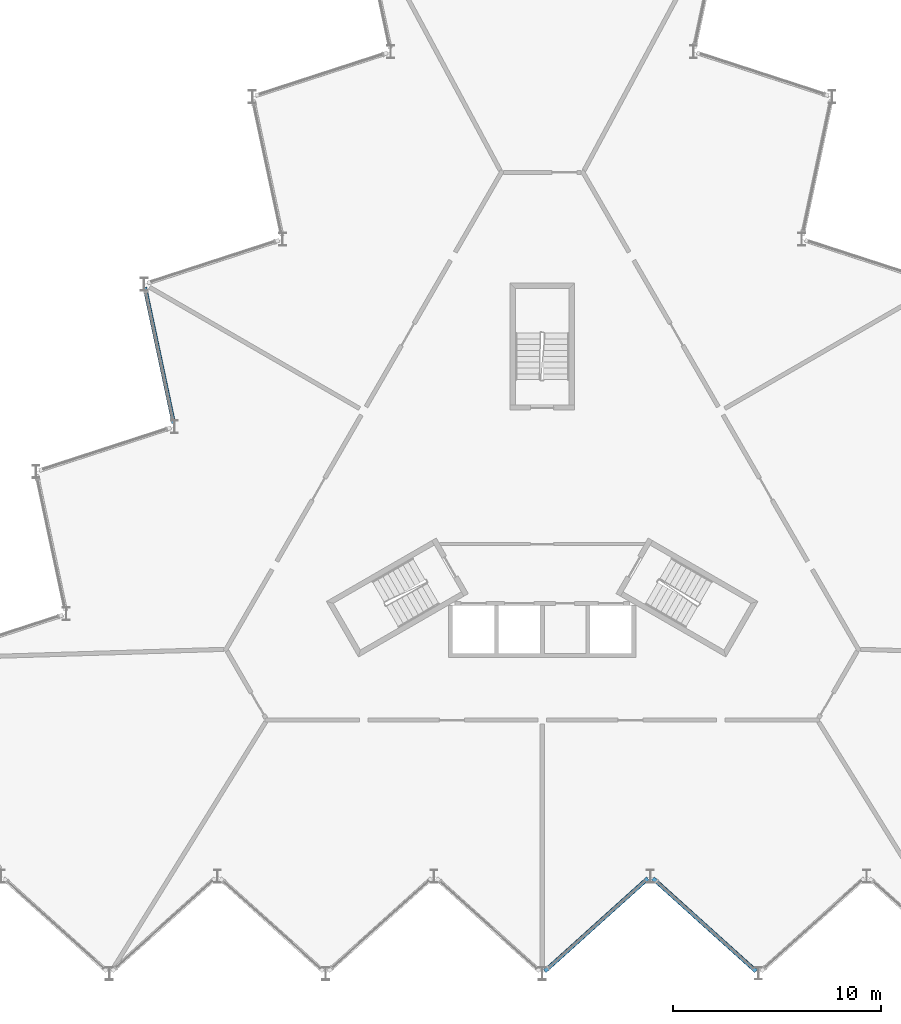
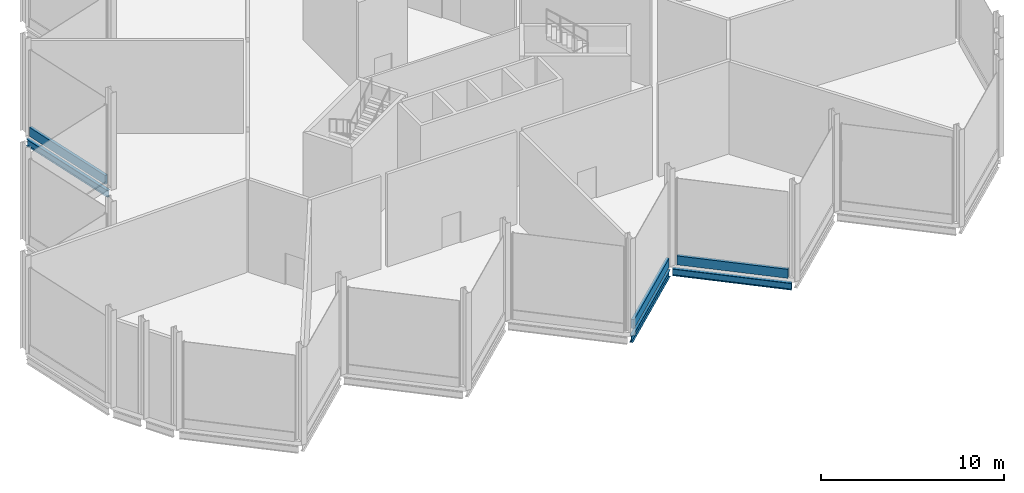
# One storey, part 5 of 12: 3 beams, 3 members, 3 elements without a shape of their own.
"""IFC4 building model written with IfcOpenShell, lengths in metres."""

import ifcopenshell
import ifcopenshell.guid

model = None  # the IFC model being written
_history = None  # IfcOwnerHistory: only IFC2X3 demands one
_inside = {}  # id of a spatial element -> (the spatial element, [elements in it])
_under = {}  # id of a project, library or spatial element -> (it, [spatial elements below it])
_declared = {}  # id of a project -> (the project, [libraries it declares])
_typed = {}  # id of a type object -> (the type object, [elements of that type])
_made_of = {}  # id of a material, layer set ... -> (it, [elements and type objects made of it])


def new_model(schema):
    """Start an empty IFC model of exactly this schema.

    Asked for "IFC4X3", IfcOpenShell would pick the latest addendum, in which some entities
    have other attributes; the version numbers below select the first issue.
    IFC2X3 requires an IfcOwnerHistory on every rooted entity: one is made here for all.
    """
    global model, _history
    if schema == "IFC4X3":
        model = ifcopenshell.file(schema_version=(4, 3, 0, 0))
    else:
        model = ifcopenshell.file(schema=schema)
    _inside.clear()
    _under.clear()
    _declared.clear()
    _typed.clear()
    _made_of.clear()
    _history = None
    if model.schema == "IFC2X3":
        org = make("IfcOrganization", Name="unknown")
        user = make(
            "IfcPersonAndOrganization",
            ThePerson=make("IfcPerson", FamilyName="unknown"),
            TheOrganization=org,
        )
        app = make(
            "IfcApplication",
            ApplicationDeveloper=org,
            Version="unknown",
            ApplicationFullName="unknown",
            ApplicationIdentifier="unknown",
        )
        _history = make(
            "IfcOwnerHistory",
            OwningUser=user,
            OwningApplication=app,
            ChangeAction="ADDED",
            CreationDate=0,
        )
    return model


def make(cls, **values):
    """One entity of the class cls with the attributes given. An attribute that is None is left unset."""
    return model.create_entity(
        cls, **{name: value for name, value in values.items() if value is not None}
    )


def rooted(cls, **values):
    """An entity with a GlobalId (a new one), such as an element, a storey or a relation."""
    return make(cls, GlobalId=ifcopenshell.guid.new(), OwnerHistory=_history, **values)


def si_unit(unit_type, name, prefix=None):
    """IfcSIUnit, for example si_unit("LENGTHUNIT", "METRE", prefix="MILLI")."""
    return make("IfcSIUnit", UnitType=unit_type, Prefix=prefix, Name=name)


def assignment(units):
    """IfcUnitAssignment: the units of a project."""
    return None if units is None else make("IfcUnitAssignment", Units=units)


def point(xyz):
    """IfcCartesianPoint."""
    return None if xyz is None else make("IfcCartesianPoint", Coordinates=xyz)


def direction(xyz):
    """IfcDirection."""
    return None if xyz is None else make("IfcDirection", DirectionRatios=xyz)


def frame(location, z_axis=None, x_axis=None):
    """IfcAxis2Placement3D, a coordinate frame: its origin and axes. An axis left out is left unset."""
    return make(
        "IfcAxis2Placement3D",
        Location=point(location),
        Axis=direction(z_axis),
        RefDirection=direction(x_axis),
    )


def frame_2d(location, x_axis=None):
    """IfcAxis2Placement2D, a coordinate frame in the plane: its origin and x axis."""
    return make(
        "IfcAxis2Placement2D", Location=point(location), RefDirection=direction(x_axis)
    )


def origin():
    """The frame at (0, 0, 0) with its axes left unset."""
    return frame((0.0, 0.0, 0.0))


def origin_2d():
    """The frame at (0, 0) in the plane with its x axis left unset."""
    return frame_2d((0.0, 0.0))


def place(relative_to, where):
    """IfcLocalPlacement: puts the frame where relative to a parent placement (None: the world)."""
    return make(
        "IfcLocalPlacement", PlacementRelTo=relative_to, RelativePlacement=where
    )


def context(
    kind, dimensions, precision=None, world=None, true_north=None, identifier=None
):
    """IfcGeometricRepresentationContext, for example the 3D "Model" context."""
    return make(
        "IfcGeometricRepresentationContext",
        ContextIdentifier=identifier,
        ContextType=kind,
        CoordinateSpaceDimension=dimensions,
        Precision=precision,
        WorldCoordinateSystem=world,
        TrueNorth=true_north,
    )


def subcontext(parent, identifier, kind, view, scale=None):
    """IfcGeometricRepresentationSubContext, for example "Body" below "Model"."""
    return make(
        "IfcGeometricRepresentationSubContext",
        ContextIdentifier=identifier,
        ContextType=kind,
        ParentContext=parent,
        TargetScale=scale,
        TargetView=view,
    )


def project(units=None, contexts=None):
    """IfcProject with its units and contexts."""
    return rooted(
        "IfcProject",
        Name="project",
        RepresentationContexts=contexts,
        UnitsInContext=assignment(units),
    )


def spatial(cls, under=None, at=None, **own):
    """A site, building, storey or space (cls), placed at a placement, below another one or the project."""
    s = rooted(cls, ObjectPlacement=at, **own)
    if under is not None:
        _under.setdefault(under.id(), (under, []))[1].append(s)
    return s


def profile(cls, at=None, kind="AREA", **sizes):
    """A parametric profile (cls). Its sizes go by their IFC names, for example OverallWidth=200.0."""
    return make(cls, ProfileType=kind, Position=at, **sizes)


def rectangle(**sizes):
    """IfcRectangleProfileDef."""
    return profile("IfcRectangleProfileDef", **sizes)


def i_section(**sizes):
    """IfcIShapeProfileDef."""
    return profile("IfcIShapeProfileDef", **sizes)


def extrude(swept, where, along, depth):
    """IfcExtrudedAreaSolid: the profile swept, set in the frame where, extruded along a direction by depth."""
    return make(
        "IfcExtrudedAreaSolid",
        SweptArea=swept,
        Position=where,
        ExtrudedDirection=direction(along),
        Depth=depth,
    )


def shape(context_of_items, identifier, shape_type, items):
    """IfcShapeRepresentation: the items that make up one representation, for example the "Body"."""
    return make(
        "IfcShapeRepresentation",
        ContextOfItems=context_of_items,
        RepresentationIdentifier=identifier,
        RepresentationType=shape_type,
        Items=items,
    )


def material(Name=None, Category=None):
    """IfcMaterial."""
    return make("IfcMaterial", Name=Name, Category=Category)


def layer(
    of_material, thickness, ventilated=None, Name=None, Category=None, Priority=None
):
    """IfcMaterialLayer: one layer of a wall or slab, of a material (None: an air gap)."""
    return make(
        "IfcMaterialLayer",
        Material=of_material,
        LayerThickness=thickness,
        IsVentilated=ventilated,
        Name=Name,
        Category=Category,
        Priority=Priority,
    )


def layer_set(layers, Name=None):
    """IfcMaterialLayerSet."""
    return make("IfcMaterialLayerSet", MaterialLayers=layers, LayerSetName=Name)


def material_profile(
    of_material, cross_section, Name=None, Category=None, Priority=None
):
    """IfcMaterialProfile: a cross section and its material."""
    return make(
        "IfcMaterialProfile",
        Name=Name,
        Material=of_material,
        Profile=cross_section,
        Priority=Priority,
        Category=Category,
    )


def profile_set(profiles, Name=None, composite=None):
    """IfcMaterialProfileSet."""
    return make(
        "IfcMaterialProfileSet",
        Name=Name,
        MaterialProfiles=profiles,
        CompositeProfile=composite,
    )


def made_of(thing, what):
    """Note that an element or type object is made of a material, layer set ...; save() writes the relation."""
    if what is not None:
        _made_of.setdefault(what.id(), (what, []))[1].append(thing)
    return thing


def type_object(cls, material=None, **own):
    """A type object (cls), such as IfcWallType, which elements share."""
    return made_of(rooted(cls, **own), material)


def element(
    cls,
    number,
    at=None,
    inside=None,
    cuts=None,
    type_object=None,
    material=None,
    context=None,
    identifier="Body",
    shape_type=None,
    held_by="IfcProductDefinitionShape",
    body=None,
    shapes=None,
    **own,
):
    """One element of the class cls, such as IfcWall. Its Tag is "e" and its number.

    at: its placement. inside: the storey or other place that contains it. cuts: it is an
    opening in that element (IfcRelVoidsElement). A single representation is given by context,
    identifier, shape_type and body (its items); several are given by shapes. held_by: the class
    of the entity that holds the representations. save() writes the other relations.
    """
    e = rooted(cls, Tag="e%d" % number, ObjectPlacement=at, **own)
    if body is not None:
        shapes = [shape(context, identifier, shape_type, body)]
    if shapes is not None:
        e.Representation = make(held_by, Representations=shapes)
    if inside is not None:
        _inside.setdefault(inside.id(), (inside, []))[1].append(e)
    if cuts is not None:
        rooted(
            "IfcRelVoidsElement", RelatingBuildingElement=cuts, RelatedOpeningElement=e
        )
    if type_object is not None:
        _typed.setdefault(type_object.id(), (type_object, []))[1].append(e)
    return made_of(e, material)


def aggregate(whole, parts):
    """IfcRelAggregates: a whole, such as a stair, and the parts it consists of."""
    return rooted("IfcRelAggregates", RelatingObject=whole, RelatedObjects=parts)


def save(model, path):
    """Write the relations noted so far, then the file.

    IfcRelAggregates (storeys below a building ...), IfcRelContainedInSpatialStructure (elements
    in a storey), IfcRelDefinesByType, IfcRelAssociatesMaterial and IfcRelDeclares: one each for
    every whole, place, type object, material and project.
    """
    for whole, parts in _under.values():
        aggregate(whole, parts)
    for where, things in _inside.values():
        rooted(
            "IfcRelContainedInSpatialStructure",
            RelatedElements=things,
            RelatingStructure=where,
        )
    for kind, things in _typed.values():
        rooted("IfcRelDefinesByType", RelatedObjects=things, RelatingType=kind)
    for what, things in _made_of.values():
        rooted("IfcRelAssociatesMaterial", RelatedObjects=things, RelatingMaterial=what)
    for by, libraries in _declared.values():
        rooted("IfcRelDeclares", RelatingContext=by, RelatedDefinitions=libraries)
    model.write(path)


model = new_model("IFC4")

# Units and contexts
model_context = context("Model", 3, precision=1e-05, world=origin(), true_north=direction((0.0, 1.0)))
body_context = subcontext(model_context, "Body", "Model", "MODEL_VIEW")
ifc_project = project(units=[si_unit("LENGTHUNIT", "METRE"), si_unit("AREAUNIT", "SQUARE_METRE"), si_unit("VOLUMEUNIT", "CUBIC_METRE"), si_unit("PLANEANGLEUNIT", "RADIAN"), si_unit("MASSUNIT", "GRAM", prefix="KILO")], contexts=[model_context])

# Site, building, storey
site_placement = place(None, origin())
site = spatial("IfcSite", under=ifc_project, at=site_placement, CompositionType="ELEMENT")
building_placement = place(site_placement, origin())
building = spatial("IfcBuilding", under=site, at=building_placement, Name="Cormorant Prow Tower", CompositionType="ELEMENT")
storey_placement = place(building_placement, frame((0.0, 0.0, 428.199951171875)))
storey = spatial("IfcBuildingStorey", under=building, at=storey_placement, Name="L96", CompositionType="ELEMENT", Elevation=428.199951171875)

# Beams
ifc_material_1 = material(Name="Structural steel ASTM A992 Gr 50", Category="steel")
ifc_material_profile_1 = material_profile(ifc_material_1, i_section(OverallWidth=0.19287109375, OverallDepth=0.466064453125, WebThickness=0.011474609375, FlangeThickness=0.01904296875, at=origin_2d()), Name="W18x65")
ifc_profile_set_1 = profile_set([ifc_material_profile_1], Name="Structural steel ASTM A992 Gr 50")
beam_type = type_object("IfcBeamType", Name="Crown ring beam W18x65", PredefinedType="SPANDREL", material=ifc_profile_set_1)
for number, where, z_axis, x_axis, name in (
    (1, (0.121337890625, -21.978515625, -0.532958984375), (0.743139440672, 0.669136586743, 0.0), (-0.669136586743, 0.743139440672, 0.0), "Crown ring beam SB5 S05-S06 L96"),
    (2, (5.3212890625, -17.514892578125, -0.532958984375), (0.743139440672, -0.669136586743, 0.0), (0.669136586743, 0.743139440672, 0.0), "Crown ring beam SB5 S06-S07 L96"),
):
    element("IfcBeam", number, at=place(storey_placement, frame(where, z_axis=z_axis, x_axis=x_axis)), inside=storey, type_object=beam_type, Name=name, PredefinedType="SPANDREL", context=body_context, shape_type="SweptSolid", body=[
        extrude(i_section(OverallWidth=0.19287109375, OverallDepth=0.466064453125, WebThickness=0.011474609375, FlangeThickness=0.01904296875, at=origin_2d()), origin(), (0.0, 0.0, 1.0), 6.670654296875),
    ])
beam_placement = place(storey_placement, frame((-19.0947265625, 10.88427734375, -0.532958984375), z_axis=(0.207911717999, -0.978147594956, 0.0), x_axis=(0.978147594956, 0.207911717999, 0.0)))
element("IfcBeam", 3, at=beam_placement, inside=storey, type_object=beam_type, Name="Crown ring beam SB5 WNW05-WNW06 L96", PredefinedType="SPANDREL", context=body_context, shape_type="SweptSolid", body=[
    extrude(i_section(OverallWidth=0.19287109375, OverallDepth=0.466064453125, WebThickness=0.011474609375, FlangeThickness=0.01904296875, at=origin_2d()), origin(), (0.0, 0.0, 1.0), 6.6708984375),
])

# Curtain wall, member
ifc_material_2 = material(Name="Aluminium 6063-T6", Category="aluminium")
ifc_layer = layer(ifc_material_2, 0.219970703125)
ifc_layer_set = layer_set([ifc_layer], Name="Aluminium 6063-T6")
curtain_wall_type = type_object("IfcCurtainWallType", Name="Crown unitised curtain wall 220", PredefinedType="NOTDEFINED", material=ifc_layer_set)
curtain_wall_1_placement = place(storey_placement, origin())
curtain_wall_1 = element("IfcCurtainWall", 4, at=curtain_wall_1_placement, inside=storey, type_object=curtain_wall_type, Name="Crown curtain wall crown S05", PredefinedType="NOTDEFINED")
ifc_material_3 = material(Name="Terracotta", Category="masonry")
ifc_material_profile_2 = material_profile(ifc_material_3, rectangle(XDim=0.179931640625, YDim=0.60009765625, at=origin_2d()), Name="Crown terracotta spandrel rail 180x600")
ifc_profile_set_2 = profile_set([ifc_material_profile_2], Name="Terracotta")
member_type = type_object("IfcMemberType", Name="Crown terracotta spandrel rail 180x600", PredefinedType="USERDEFINED", material=ifc_profile_set_2)
member_1_placement = place(storey_placement, frame((0.316650390625, -21.802734375, 0.300048828125), z_axis=(0.743141530577, 0.669134265699, 0.0), x_axis=(-0.669134265699, 0.743141530577, 0.0)))
member_1 = element("IfcMember", 5, at=member_1_placement, type_object=member_type, Name="Crown spandrel rail crown S05", ObjectType="TRANSOM", PredefinedType="USERDEFINED", context=body_context, shape_type="SweptSolid", body=[
    extrude(rectangle(XDim=0.179931640625, YDim=0.60009765625, at=origin_2d()), origin(), (0.0, 0.0, 1.0), 6.205078125),
])
aggregate(curtain_wall_1, [member_1])

curtain_wall_2_placement = place(storey_placement, origin())
curtain_wall_2 = element("IfcCurtainWall", 6, at=curtain_wall_2_placement, inside=storey, type_object=curtain_wall_type, Name="Crown curtain wall crown S06", PredefinedType="NOTDEFINED")
member_2_placement = place(storey_placement, frame((5.5166015625, -17.690673828125, 0.300048828125), z_axis=(0.743121966202, -0.669155993285, 0.0), x_axis=(0.669155993285, 0.743121966202, 0.0)))
member_2 = element("IfcMember", 7, at=member_2_placement, type_object=member_type, Name="Crown spandrel rail crown S06", ObjectType="TRANSOM", PredefinedType="USERDEFINED", context=body_context, shape_type="SweptSolid", body=[
    extrude(rectangle(XDim=0.179931640625, YDim=0.60009765625, at=origin_2d()), origin(), (0.0, 0.0, 1.0), 6.205322265625),
])
aggregate(curtain_wall_2, [member_2])

curtain_wall_3_placement = place(storey_placement, origin())
curtain_wall_3 = element("IfcCurtainWall", 8, at=curtain_wall_3_placement, inside=storey, type_object=curtain_wall_type, Name="Crown curtain wall crown WNW05", PredefinedType="NOTDEFINED")
member_3_placement = place(storey_placement, frame((-19.0400390625, 10.627197265625, 0.300048828125), z_axis=(0.207897812215, -0.978150550619, 0.0), x_axis=(0.978150550619, 0.207897812215, 0.0)))
member_3 = element("IfcMember", 9, at=member_3_placement, type_object=member_type, Name="Crown spandrel rail crown WNW05", ObjectType="TRANSOM", PredefinedType="USERDEFINED", context=body_context, shape_type="SweptSolid", body=[
    extrude(rectangle(XDim=0.179931640625, YDim=0.60009765625, at=origin_2d()), origin(), (0.0, 0.0, 1.0), 6.205078125),
])
aggregate(curtain_wall_3, [member_3])

save(model, "model.ifc")
